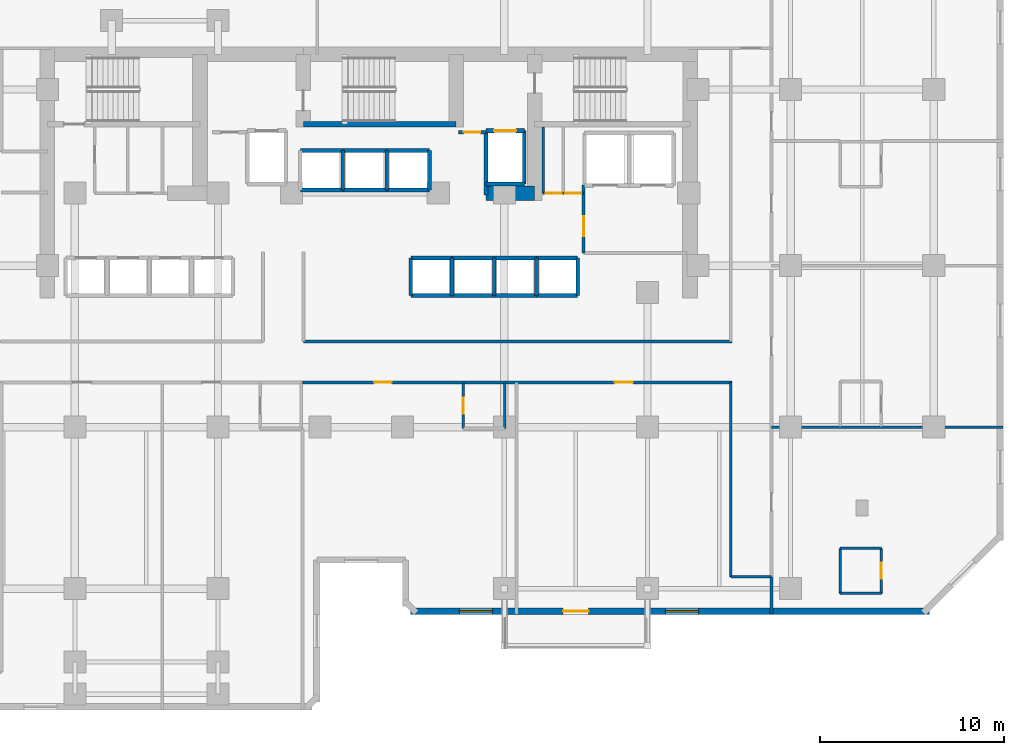
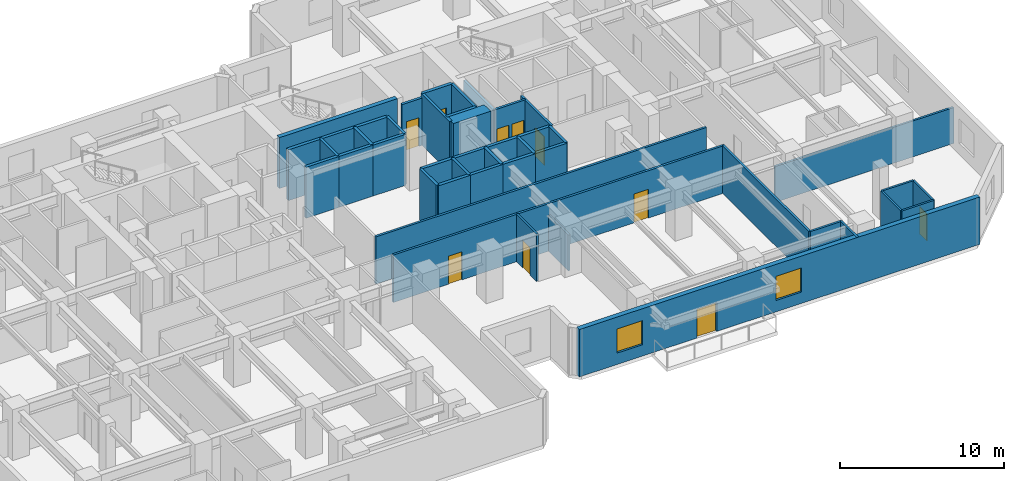
# One storey, part 7 of 11: 45 walls, 10 doors, 2 windows, 12 openings.
"""IFC4 building model written with IfcOpenShell, lengths in metres."""

from ifc_helpers import new_model, si_unit, direction, frame, frame_2d, origin, place, context, subcontext, project, spatial, rectangle, extrude, material, layer, layer_set, type_object, element, fill, save


model = new_model("IFC4")

# Units and contexts
model_context = context("Model", 3, precision=1e-05, world=origin(), true_north=direction((0.0, 1.0)))
body_context = subcontext(model_context, "Body", "Model", "MODEL_VIEW")
ifc_project = project(units=[si_unit("LENGTHUNIT", "METRE"), si_unit("AREAUNIT", "SQUARE_METRE"), si_unit("VOLUMEUNIT", "CUBIC_METRE"), si_unit("PLANEANGLEUNIT", "RADIAN"), si_unit("MASSUNIT", "GRAM", prefix="KILO")], contexts=[model_context])

# Site, building, storey
site_placement = place(None, origin())
site = spatial("IfcSite", under=ifc_project, at=site_placement, CompositionType="ELEMENT")
building_placement = place(site_placement, origin())
building = spatial("IfcBuilding", under=site, at=building_placement, Name="Kestravale Grand Hotel", CompositionType="ELEMENT")
storey_placement = place(building_placement, frame((0.0, 0.0, 107.0)))
storey = spatial("IfcBuildingStorey", under=building, at=storey_placement, Name="L26", CompositionType="ELEMENT", Elevation=107.0)

# Wall
ifc_material_1 = material(Name="Concrete f'c 60 MPa", Category="concrete")
ifc_layer_1 = layer(ifc_material_1, 0.800048828125)
ifc_layer_set_1 = layer_set([ifc_layer_1], Name="EW-CORE-800")
wall_type_1 = type_object("IfcWallType", Name="EW-CORE-800", PredefinedType="SHEAR", material=ifc_layer_set_1)
wall_1_placement = place(storey_placement, frame((45.81005859375, 32.75, 0.0), z_axis=(0.0, 0.0, 1.0), x_axis=(1.0, 0.0, 0.0)))
element("IfcWall", 1, at=wall_1_placement, inside=storey, type_object=wall_type_1, Name="L26 core shear wall S2", PredefinedType="SHEAR", context=body_context, shape_type="SweptSolid", body=[
    extrude(rectangle(XDim=2.639892578125, YDim=0.800048828125, at=frame_2d((1.31982421875, 0.0))), origin(), (0.0, 0.0, 1.0), 3.800048828125),
])

# Wall, openings, door, windows
ifc_material_2 = material(Name="Precast concrete f'c 45 MPa", Category="concrete")
ifc_layer_2 = layer(ifc_material_2, 0.340087890625)
ifc_layer_set_2 = layer_set([ifc_layer_2], Name="EW-PREC-340")
wall_type_2 = type_object("IfcWallType", Name="EW-PREC-340", PredefinedType="SOLIDWALL", material=ifc_layer_set_2)
wall_2_placement = place(storey_placement, frame((41.679931640625, 9.969970703125, 0.0), z_axis=(0.0, 0.0, 1.0), x_axis=(1.0, 0.0, 0.0)))
wall_2 = element("IfcWall", 2, at=wall_2_placement, inside=storey, type_object=wall_type_2, Name="L26 fluted precast facade wall 7", PredefinedType="SOLIDWALL", context=body_context, shape_type="SweptSolid", body=[
    extrude(rectangle(XDim=28.2900390625, YDim=0.340087890625, at=frame_2d((14.14501953125, 0.0))), origin(), (0.0, 0.0, 1.0), 3.5400390625),
])
opening_1_placement = place(wall_2_placement, frame((8.320068359375, 0.0, 0.0)))
opening_1 = element("IfcOpeningElement", 3, at=opening_1_placement, cuts=wall_2, Name="Opening D-TERR-1400", PredefinedType="OPENING", context=body_context, shape_type="SweptSolid", body=[
    extrude(rectangle(XDim=1.39990234375, YDim=2.14990234375, at=frame_2d((0.699951171875, 1.074951171875))), frame((0.0, 0.179931640625, 0.0), z_axis=(0.0, -1.0, 0.0), x_axis=(1.0, 0.0, 0.0)), (0.0, 0.0, 1.0), 0.360107421875),
])
opening_2_placement = place(wall_2_placement, frame((2.6650390625, 0.0, 0.85009765625)))
opening_2 = element("IfcOpeningElement", 4, at=opening_2_placement, cuts=wall_2, Name="Opening W-GUEST-1800", PredefinedType="OPENING", context=body_context, shape_type="SweptSolid", body=[
    extrude(rectangle(XDim=1.800048828125, YDim=1.800048828125, at=frame_2d((0.89990234375, 0.89990234375))), frame((0.0, 0.179931640625, 0.0), z_axis=(0.0, -1.0, 0.0), x_axis=(1.0, 0.0, 0.0)), (0.0, 0.0, 1.0), 0.360107421875),
])
opening_3_placement = place(wall_2_placement, frame((13.89501953125, 0.0, 0.85009765625)))
opening_3 = element("IfcOpeningElement", 5, at=opening_3_placement, cuts=wall_2, Name="Opening W-GUEST-1800", PredefinedType="OPENING", context=body_context, shape_type="SweptSolid", body=[
    extrude(rectangle(XDim=1.800048828125, YDim=1.800048828125, at=frame_2d((0.89990234375, 0.89990234375))), frame((0.0, 0.179931640625, 0.0), z_axis=(0.0, -1.0, 0.0), x_axis=(1.0, 0.0, 0.0)), (0.0, 0.0, 1.0), 0.360107421875),
])
ifc_material_3 = material(Name="Insulated glazed champagne-bronze aluminium door", Category="aluminium")
door_type_1 = type_object("IfcDoorType", Name="D-TERR-1400", OperationType="NOTDEFINED", PredefinedType="DOOR", material=ifc_material_3)
door_1_placement = place(opening_1_placement, origin())
door_1 = element("IfcDoor", 6, at=door_1_placement, inside=storey, type_object=door_type_1, Name="L26 outdoor garden terrace door", OperationType="DOUBLE_DOOR_SINGLE_SWING", OverallHeight=2.14990234375, OverallWidth=1.39990234375, PredefinedType="DOOR", context=body_context, shape_type="SweptSolid", body=[
    extrude(rectangle(XDim=1.39990234375, YDim=2.14990234375, at=frame_2d((0.699951171875, 1.074951171875))), frame((0.0, 0.02490234375, 0.0), z_axis=(0.0, -1.0, 0.0), x_axis=(1.0, 0.0, 0.0)), (0.0, 0.0, 1.0), 0.050048828125),
])
fill(opening_1, door_1)
ifc_material_4 = material(Name="Insulated low-E double glazing in aluminium frame", Category="aluminium")
window_type = type_object("IfcWindowType", Name="W-GUEST-1800", PartitioningType="DOUBLE_PANEL_VERTICAL", PredefinedType="WINDOW", material=ifc_material_4)
window_1_placement = place(opening_2_placement, origin())
window_1 = element("IfcWindow", 7, at=window_1_placement, inside=storey, type_object=window_type, Name="L26 exterior window 7.1", OverallHeight=1.800048828125, OverallWidth=1.800048828125, PartitioningType="SINGLE_PANEL", PredefinedType="WINDOW", context=body_context, shape_type="SweptSolid", body=[
    extrude(rectangle(XDim=1.800048828125, YDim=1.800048828125, at=frame_2d((0.89990234375, 0.89990234375))), frame((0.0, 0.030029296875, 0.0), z_axis=(0.0, -1.0, 0.0), x_axis=(1.0, 0.0, 0.0)), (0.0, 0.0, 1.0), 0.06005859375),
])
fill(opening_2, window_1)
window_2_placement = place(opening_3_placement, origin())
window_2 = element("IfcWindow", 8, at=window_2_placement, inside=storey, type_object=window_type, Name="L26 exterior window 7.2", OverallHeight=1.800048828125, OverallWidth=1.800048828125, PartitioningType="SINGLE_PANEL", PredefinedType="WINDOW", context=body_context, shape_type="SweptSolid", body=[
    extrude(rectangle(XDim=1.800048828125, YDim=1.800048828125, at=frame_2d((0.89990234375, 0.89990234375))), frame((0.0, 0.030029296875, 0.0), z_axis=(0.0, -1.0, 0.0), x_axis=(1.0, 0.0, 0.0)), (0.0, 0.0, 1.0), 0.06005859375),
])
fill(opening_3, window_2)

# Wall
ifc_material_5 = material(Name="Concrete f'c 45 MPa", Category="concrete")
ifc_layer_3 = layer(ifc_material_5, 0.300048828125)
ifc_layer_set_3 = layer_set([ifc_layer_3], Name="EW-STAIR-300")
wall_type_3 = type_object("IfcWallType", Name="EW-STAIR-300", PredefinedType="SHEAR", material=ifc_layer_set_3)
wall_3_placement = place(storey_placement, frame((35.85009765625, 36.52001953125, 0.0), z_axis=(0.0, 0.0, 1.0), x_axis=(1.0, 0.0, 0.0)))
element("IfcWall", 9, at=wall_3_placement, inside=storey, type_object=wall_type_3, Name="L26 stair enclosure shear wall SST2", PredefinedType="SHEAR", context=body_context, shape_type="SweptSolid", body=[
    extrude(rectangle(XDim=8.329833984375, YDim=0.300048828125, at=frame_2d((4.1650390625, 0.0))), origin(), (0.0, 0.0, 1.0), 3.800048828125),
])

# Wall, opening, door
ifc_material_6 = material(Name="Acoustic fire-rated gypsum board partition", Category="other")
ifc_layer_4 = layer(ifc_material_6, 0.159912109375)
ifc_layer_set_4 = layer_set([ifc_layer_4], Name="IW-CORR-160")
wall_type_4 = type_object("IfcWallType", Name="IW-CORR-160", PredefinedType="PARTITIONING", material=ifc_layer_set_4)
wall_4_placement = place(storey_placement, frame((51.1201171875, 29.5, 0.0), z_axis=(0.0, 0.0, 1.0), x_axis=(0.0, 1.0, 0.0)))
wall_4 = element("IfcWall", 10, at=wall_4_placement, inside=storey, type_object=wall_type_4, Name="W-L26-SVCLOB-W", PredefinedType="PARTITIONING", context=body_context, shape_type="SweptSolid", body=[
    extrude(rectangle(XDim=3.699951171875, YDim=0.159912109375, at=frame_2d((1.85009765625, 0.0))), origin(), (0.0, 0.0, 1.0), 3.5400390625),
])
opening_4_placement = place(wall_4_placement, frame((0.89990234375, 0.0, 0.0)))
opening_4 = element("IfcOpeningElement", 11, at=opening_4_placement, cuts=wall_4, Name="Opening D-CORR-1100", PredefinedType="OPENING", context=body_context, shape_type="SweptSolid", body=[
    extrude(rectangle(XDim=1.10009765625, YDim=2.14990234375, at=frame_2d((0.550048828125, 1.074951171875))), frame((0.0, 0.08984375, 0.0), z_axis=(0.0, -1.0, 0.0), x_axis=(1.0, 0.0, 0.0)), (0.0, 0.0, 1.0), 0.179931640625),
])
ifc_material_7 = material(Name="Single-leaf service vestibule fire door", Category="steel")
door_type_2 = type_object("IfcDoorType", Name="D-CORR-1100", OperationType="NOTDEFINED", PredefinedType="DOOR", material=ifc_material_7)
door_2_placement = place(opening_4_placement, origin())
door_2 = element("IfcDoor", 12, at=door_2_placement, inside=storey, type_object=door_type_2, Name="L26 service lift lobby door", OperationType="SINGLE_SWING_LEFT", OverallHeight=2.14990234375, OverallWidth=1.10009765625, PredefinedType="DOOR", context=body_context, shape_type="SweptSolid", body=[
    extrude(rectangle(XDim=1.10009765625, YDim=2.14990234375, at=frame_2d((0.550048828125, 1.074951171875))), frame((0.0, 0.02490234375, 0.0), z_axis=(0.0, -1.0, 0.0), x_axis=(1.0, 0.0, 0.0)), (0.0, 0.0, 1.0), 0.050048828125),
])
fill(opening_4, door_2)

# Wall, openings, doors
wall_5_placement = place(storey_placement, frame((48.919921875, 32.75, 0.0), z_axis=(0.0, 0.0, 1.0), x_axis=(1.0, 0.0, 0.0)))
wall_5 = element("IfcWall", 13, at=wall_5_placement, inside=storey, type_object=wall_type_4, Name="W-L26-CES", PredefinedType="PARTITIONING", context=body_context, shape_type="SweptSolid", body=[
    extrude(rectangle(XDim=2.2001953125, YDim=0.159912109375, at=frame_2d((1.10009765625, 0.0))), origin(), (0.0, 0.0, 1.0), 3.5400390625),
])
opening_5_placement = place(wall_5_placement, frame((0.139892578125, 0.0, 0.0)))
opening_5 = element("IfcOpeningElement", 14, at=opening_5_placement, cuts=wall_5, Name="Opening D-SH-860", PredefinedType="OPENING", context=body_context, shape_type="SweptSolid", body=[
    extrude(rectangle(XDim=0.860107421875, YDim=2.050048828125, at=frame_2d((0.43017578125, 1.02490234375))), frame((0.0, 0.08984375, 0.0), z_axis=(0.0, -1.0, 0.0), x_axis=(1.0, 0.0, 0.0)), (0.0, 0.0, 1.0), 0.179931640625),
])
opening_6_placement = place(wall_5_placement, frame((1.199951171875, 0.0, 0.0)))
opening_6 = element("IfcOpeningElement", 15, at=opening_6_placement, cuts=wall_5, Name="Opening D-SH-860", PredefinedType="OPENING", context=body_context, shape_type="SweptSolid", body=[
    extrude(rectangle(XDim=0.860107421875, YDim=2.050048828125, at=frame_2d((0.43017578125, 1.02490234375))), frame((0.0, 0.08984375, 0.0), z_axis=(0.0, -1.0, 0.0), x_axis=(1.0, 0.0, 0.0)), (0.0, 0.0, 1.0), 0.179931640625),
])
ifc_material_8 = material(Name="Galvanised 90-minute riser fire door", Category="steel")
door_type_3 = type_object("IfcDoorType", Name="D-SH-860", OperationType="NOTDEFINED", PredefinedType="DOOR", material=ifc_material_8)
door_3_placement = place(opening_5_placement, origin())
door_3 = element("IfcDoor", 16, at=door_3_placement, inside=storey, type_object=door_type_3, Name="L26 CSTO1 door", OperationType="SINGLE_SWING_LEFT", OverallHeight=2.050048828125, OverallWidth=0.860107421875, PredefinedType="DOOR", context=body_context, shape_type="SweptSolid", body=[
    extrude(rectangle(XDim=0.860107421875, YDim=2.050048828125, at=frame_2d((0.43017578125, 1.02490234375))), frame((0.0, 0.02490234375, 0.0), z_axis=(0.0, -1.0, 0.0), x_axis=(1.0, 0.0, 0.0)), (0.0, 0.0, 1.0), 0.050048828125),
])
fill(opening_5, door_3)
door_4_placement = place(opening_6_placement, origin())
door_4 = element("IfcDoor", 17, at=door_4_placement, inside=storey, type_object=door_type_3, Name="L26 CSTO2 door", OperationType="SINGLE_SWING_RIGHT", OverallHeight=2.050048828125, OverallWidth=0.860107421875, PredefinedType="DOOR", context=body_context, shape_type="SweptSolid", body=[
    extrude(rectangle(XDim=0.860107421875, YDim=2.050048828125, at=frame_2d((0.43017578125, 1.02490234375))), frame((0.0, 0.02490234375, 0.0), z_axis=(0.0, -1.0, 0.0), x_axis=(1.0, 0.0, 0.0)), (0.0, 0.0, 1.0), 0.050048828125),
])
fill(opening_6, door_4)

# Wall
wall_6_placement = place(storey_placement, frame((35.85009765625, 24.659912109375, 0.0), z_axis=(0.0, 0.0, 1.0), x_axis=(1.0, 0.0, 0.0)))
element("IfcWall", 18, at=wall_6_placement, inside=storey, type_object=wall_type_4, Name="W-L26-CE-N", PredefinedType="PARTITIONING", context=body_context, shape_type="SweptSolid", body=[
    extrude(rectangle(XDim=23.349853515625, YDim=0.159912109375, at=frame_2d((11.6748046875, 0.0))), origin(), (0.0, 0.0, 1.0), 3.5400390625),
])

# Wall, openings, doors
wall_7_placement = place(storey_placement, frame((35.800048828125, 22.43994140625, 0.0), z_axis=(0.0, 0.0, 1.0), x_axis=(1.0, 0.0, 0.0)))
wall_7 = element("IfcWall", 19, at=wall_7_placement, inside=storey, type_object=wall_type_4, Name="W-L26-CE-S", PredefinedType="PARTITIONING", context=body_context, shape_type="SweptSolid", body=[
    extrude(rectangle(XDim=23.39990234375, YDim=0.159912109375, at=frame_2d((11.699951171875, 0.0))), origin(), (0.0, 0.0, 1.0), 3.5400390625),
])
opening_7_placement = place(wall_7_placement, frame((3.909912109375, 0.0, 0.0)))
opening_7 = element("IfcOpeningElement", 20, at=opening_7_placement, cuts=wall_7, Name="Opening D-GUEST-950", PredefinedType="OPENING", context=body_context, shape_type="SweptSolid", body=[
    extrude(rectangle(XDim=0.949951171875, YDim=2.10009765625, at=frame_2d((0.47509765625, 1.050048828125))), frame((0.0, 0.08984375, 0.0), z_axis=(0.0, -1.0, 0.0), x_axis=(1.0, 0.0, 0.0)), (0.0, 0.0, 1.0), 0.179931640625),
])
opening_8_placement = place(wall_7_placement, frame((17.0048828125, 0.0, 0.0)))
opening_8 = element("IfcOpeningElement", 21, at=opening_8_placement, cuts=wall_7, Name="Opening D-GUEST-1000", PredefinedType="OPENING", context=body_context, shape_type="SweptSolid", body=[
    extrude(rectangle(XDim=1.0, YDim=2.14990234375, at=frame_2d((0.5, 1.074951171875))), frame((0.0, 0.08984375, 0.0), z_axis=(0.0, -1.0, 0.0), x_axis=(1.0, 0.0, 0.0)), (0.0, 0.0, 1.0), 0.179931640625),
])
ifc_material_9 = material(Name="Accessible walnut veneer hotel entrance fire door", Category="wood")
door_type_4 = type_object("IfcDoorType", Name="D-GUEST-1000", OperationType="NOTDEFINED", PredefinedType="DOOR", material=ifc_material_9)
door_5_placement = place(opening_8_placement, origin())
door_5 = element("IfcDoor", 22, at=door_5_placement, inside=storey, type_object=door_type_4, Name="D-L26-AME", OperationType="SINGLE_SWING_RIGHT", OverallHeight=2.14990234375, OverallWidth=1.0, PredefinedType="DOOR", context=body_context, shape_type="SweptSolid", body=[
    extrude(rectangle(XDim=1.0, YDim=2.14990234375, at=frame_2d((0.5, 1.074951171875))), frame((0.0, 0.02490234375, 0.0), z_axis=(0.0, -1.0, 0.0), x_axis=(1.0, 0.0, 0.0)), (0.0, 0.0, 1.0), 0.050048828125),
])
fill(opening_8, door_5)
ifc_material_10 = material(Name="Walnut veneer hotel guestroom entrance fire door", Category="wood")
door_type_5 = type_object("IfcDoorType", Name="D-GUEST-950", OperationType="NOTDEFINED", PredefinedType="DOOR", material=ifc_material_10)
door_6_placement = place(opening_7_placement, origin())
door_6 = element("IfcDoor", 23, at=door_6_placement, inside=storey, type_object=door_type_5, Name="D-L26-U02-ENT", OperationType="SINGLE_SWING_LEFT", OverallHeight=2.10009765625, OverallWidth=0.949951171875, PredefinedType="DOOR", context=body_context, shape_type="SweptSolid", body=[
    extrude(rectangle(XDim=0.949951171875, YDim=2.10009765625, at=frame_2d((0.47509765625, 1.050048828125))), frame((0.0, 0.02490234375, 0.0), z_axis=(0.0, -1.0, 0.0), x_axis=(1.0, 0.0, 0.0)), (0.0, 0.0, 1.0), 0.050048828125),
])
fill(opening_7, door_6)

# Wall
wall_8_placement = place(storey_placement, frame((59.139892578125, 11.85009765625, 0.0), z_axis=(0.0, 0.0, 1.0), x_axis=(0.0, 1.0, 0.0)))
element("IfcWall", 24, at=wall_8_placement, inside=storey, type_object=wall_type_4, Name="W-L26-SE-W", PredefinedType="PARTITIONING", context=body_context, shape_type="SweptSolid", body=[
    extrude(rectangle(XDim=10.58984375, YDim=0.159912109375, at=frame_2d((5.294921875, 0.0))), origin(), (0.0, 0.0, 1.0), 3.5400390625),
])

# Wall, opening, door
ifc_material_11 = material(Name="Fire-rated gypsum board on steel studs with mineral wool", Category="steel")
ifc_layer_5 = layer(ifc_material_11, 0.179931640625)
ifc_layer_set_5 = layer_set([ifc_layer_5], Name="IW-FSAE-180")
wall_type_5 = type_object("IfcWallType", Name="IW-FSAE-180", PredefinedType="PARTITIONING", material=ifc_layer_set_5)
wall_9_placement = place(storey_placement, frame((44.300048828125, 36.080078125, 0.0), z_axis=(0.0, 0.0, 1.0), x_axis=(1.0, 0.0, 0.0)))
wall_9 = element("IfcWall", 25, at=wall_9_placement, inside=storey, type_object=wall_type_5, Name="L26 FSAE Lobby 2 smoke barrier", PredefinedType="PARTITIONING", context=body_context, shape_type="SweptSolid", body=[
    extrude(rectangle(XDim=1.5, YDim=0.179931640625, at=frame_2d((0.75, 0.0))), origin(), (0.0, 0.0, 1.0), 3.5400390625),
])
opening_9_placement = place(wall_9_placement, frame((0.300048828125, 0.0, 0.0)))
opening_9 = element("IfcOpeningElement", 26, at=opening_9_placement, cuts=wall_9, Name="Opening D-FSAE-1000", PredefinedType="OPENING", context=body_context, shape_type="SweptSolid", body=[
    extrude(rectangle(XDim=0.89990234375, YDim=2.14990234375, at=frame_2d((0.449951171875, 1.074951171875))), frame((0.0, 0.099853515625, 0.0), z_axis=(0.0, -1.0, 0.0), x_axis=(1.0, 0.0, 0.0)), (0.0, 0.0, 1.0), 0.199951171875),
])
ifc_material_12 = material(Name="Smoke-gasketed FSAE lobby fire door", Category="steel")
door_type_6 = type_object("IfcDoorType", Name="D-FSAE-1000", OperationType="NOTDEFINED", PredefinedType="DOOR", material=ifc_material_12)
door_7_placement = place(opening_9_placement, origin())
door_7 = element("IfcDoor", 27, at=door_7_placement, inside=storey, type_object=door_type_6, Name="L26 FSAE Lobby 2 fire door", OperationType="SINGLE_SWING_LEFT", OverallHeight=2.14990234375, OverallWidth=0.89990234375, PredefinedType="DOOR", context=body_context, shape_type="SweptSolid", body=[
    extrude(rectangle(XDim=0.89990234375, YDim=2.14990234375, at=frame_2d((0.449951171875, 1.074951171875))), frame((0.0, 0.02490234375, 0.0), z_axis=(0.0, -1.0, 0.0), x_axis=(1.0, 0.0, 0.0)), (0.0, 0.0, 1.0), 0.050048828125),
])
fill(opening_9, door_7)

ifc_material_13 = material(Name="Moisture-resistant tile-backer plumbing chase wall", Category="other")
ifc_layer_6 = layer(ifc_material_13, 0.139892578125)
ifc_layer_set_6 = layer_set([ifc_layer_6], Name="IW-PLB-140")
wall_type_6 = type_object("IfcWallType", Name="IW-PLB-140", PredefinedType="PLUMBINGWALL", material=ifc_layer_set_6)
wall_10_placement = place(storey_placement, frame((44.570068359375, 19.929931640625, 0.0), z_axis=(0.0, 0.0, 1.0), x_axis=(0.0, 1.0, 0.0)))
wall_10 = element("IfcWall", 28, at=wall_10_placement, inside=storey, type_object=wall_type_6, Name="W-L26-U02-BW", PredefinedType="PLUMBINGWALL", context=body_context, shape_type="SweptSolid", body=[
    extrude(rectangle(XDim=2.489990234375, YDim=0.139892578125, at=frame_2d((1.2451171875, 0.0))), origin(), (0.0, 0.0, 1.0), 3.5400390625),
])
opening_10_placement = place(wall_10_placement, frame((0.804931640625, 0.0, 0.0)))
opening_10 = element("IfcOpeningElement", 29, at=opening_10_placement, cuts=wall_10, Name="Opening D-BATH-880", PredefinedType="OPENING", context=body_context, shape_type="SweptSolid", body=[
    extrude(rectangle(XDim=0.8798828125, YDim=2.050048828125, at=frame_2d((0.43994140625, 1.02490234375))), frame((0.0, 0.079833984375, 0.0), z_axis=(0.0, -1.0, 0.0), x_axis=(1.0, 0.0, 0.0)), (0.0, 0.0, 1.0), 0.159912109375),
])
ifc_material_14 = material(Name="Moisture-sealed walnut en-suite bathroom door", Category="wood")
door_type_7 = type_object("IfcDoorType", Name="D-BATH-880", OperationType="NOTDEFINED", PredefinedType="DOOR", material=ifc_material_14)
door_8_placement = place(opening_10_placement, origin())
door_8 = element("IfcDoor", 30, at=door_8_placement, inside=storey, type_object=door_type_7, Name="D-L26-U02-BATH", OperationType="SINGLE_SWING_RIGHT", OverallHeight=2.050048828125, OverallWidth=0.8798828125, PredefinedType="DOOR", context=body_context, shape_type="SweptSolid", body=[
    extrude(rectangle(XDim=0.8798828125, YDim=2.050048828125, at=frame_2d((0.43994140625, 1.02490234375))), frame((0.0, 0.02490234375, 0.0), z_axis=(0.0, -1.0, 0.0), x_axis=(1.0, 0.0, 0.0)), (0.0, 0.0, 1.0), 0.050048828125),
])
fill(opening_10, door_8)

# Walls
wall_11_placement = place(storey_placement, frame((46.820068359375, 19.929931640625, 0.0), z_axis=(0.0, 0.0, 1.0), x_axis=(0.0, 1.0, 0.0)))
element("IfcWall", 31, at=wall_11_placement, inside=storey, type_object=wall_type_6, Name="W-L26-U02-BE", PredefinedType="PLUMBINGWALL", context=body_context, shape_type="SweptSolid", body=[
    extrude(rectangle(XDim=2.489990234375, YDim=0.139892578125, at=frame_2d((1.2451171875, 0.0))), origin(), (0.0, 0.0, 1.0), 2.678955078125),
])
wall_12_placement = place(storey_placement, frame((65.10009765625, 10.949951171875, 0.0), z_axis=(0.0, 0.0, 1.0), x_axis=(0.0, 1.0, 0.0)))
element("IfcWall", 32, at=wall_12_placement, inside=storey, type_object=wall_type_6, Name="W-L26-U07-BW", PredefinedType="PLUMBINGWALL", context=body_context, shape_type="SweptSolid", body=[
    extrude(rectangle(XDim=2.449951171875, YDim=0.139892578125, at=frame_2d((1.22509765625, 0.0))), origin(), (0.0, 0.0, 1.0), 3.5400390625),
])

# Wall, opening, door
wall_13_placement = place(storey_placement, frame((67.35009765625, 10.949951171875, 0.0), z_axis=(0.0, 0.0, 1.0), x_axis=(0.0, 1.0, 0.0)))
wall_13 = element("IfcWall", 33, at=wall_13_placement, inside=storey, type_object=wall_type_6, Name="W-L26-U07-BE", PredefinedType="PLUMBINGWALL", context=body_context, shape_type="SweptSolid", body=[
    extrude(rectangle(XDim=2.449951171875, YDim=0.139892578125, at=frame_2d((1.22509765625, 0.0))), origin(), (0.0, 0.0, 1.0), 3.5400390625),
])
opening_11_placement = place(wall_13_placement, frame((0.784912109375, 0.0, 0.0)))
opening_11 = element("IfcOpeningElement", 34, at=opening_11_placement, cuts=wall_13, Name="Opening D-BATH-880", PredefinedType="OPENING", context=body_context, shape_type="SweptSolid", body=[
    extrude(rectangle(XDim=0.8798828125, YDim=2.050048828125, at=frame_2d((0.43994140625, 1.02490234375))), frame((0.0, 0.079833984375, 0.0), z_axis=(0.0, -1.0, 0.0), x_axis=(1.0, 0.0, 0.0)), (0.0, 0.0, 1.0), 0.159912109375),
])
door_9_placement = place(opening_11_placement, origin())
door_9 = element("IfcDoor", 35, at=door_9_placement, inside=storey, type_object=door_type_7, Name="D-L26-U07-BATH", OperationType="SINGLE_SWING_RIGHT", OverallHeight=2.050048828125, OverallWidth=0.8798828125, PredefinedType="DOOR", context=body_context, shape_type="SweptSolid", body=[
    extrude(rectangle(XDim=0.8798828125, YDim=2.050048828125, at=frame_2d((0.43994140625, 1.02490234375))), frame((0.0, 0.02490234375, 0.0), z_axis=(0.0, -1.0, 0.0), x_axis=(1.0, 0.0, 0.0)), (0.0, 0.0, 1.0), 0.050048828125),
])
fill(opening_11, door_9)

# Walls
for number, where, z_axis, x_axis, name in (
    (36, (65.10009765625, 10.949951171875, 0.0), (0.0, 0.0, 1.0), (1.0, 0.0, 0.0), "W-L26-U07-BS"),
    (37, (65.10009765625, 13.39990234375, 0.0), (0.0, 0.0, 1.0), (1.0, 0.0, 0.0), "W-L26-U07-BN"),
):
    element("IfcWall", number, at=place(storey_placement, frame(where, z_axis=z_axis, x_axis=x_axis)), inside=storey, type_object=wall_type_6, Name=name, PredefinedType="PLUMBINGWALL", context=body_context, shape_type="SweptSolid", body=[
        extrude(rectangle(XDim=2.25, YDim=0.139892578125, at=frame_2d((1.125, 0.0))), origin(), (0.0, 0.0, 1.0), 3.5400390625),
    ])
ifc_material_15 = material(Name="Concrete f'c 45 MPa", Category="concrete")
ifc_layer_7 = layer(ifc_material_15, 0.199951171875)
ifc_layer_set_7 = layer_set([ifc_layer_7], Name="IW-SHAFT-200")
wall_type_7 = type_object("IfcWallType", Name="IW-SHAFT-200", PredefinedType="SHEAR", material=ifc_layer_set_7)
for number, where, z_axis, x_axis, name in (
    (38, (41.705078125, 27.169921875, 0.0), (0.0, 0.0, 1.0), (0.0, 1.0, 0.0), "L26 PL-M1 west shaft wall"),
    (39, (43.949951171875, 27.169921875, 0.0), (0.0, 0.0, 1.0), (0.0, 1.0, 0.0), "L26 PL-M2 west shaft wall"),
    (40, (46.25, 27.169921875, 0.0), (0.0, 0.0, 1.0), (0.0, 1.0, 0.0), "L26 PL-M3 west shaft wall"),
    (41, (48.550048828125, 27.169921875, 0.0), (0.0, 0.0, 1.0), (0.0, 1.0, 0.0), "L26 PL-M4 west shaft wall"),
    (42, (50.794921875, 27.169921875, 0.0), (0.0, 0.0, 1.0), (0.0, 1.0, 0.0), "L26 PL-M4 east shaft wall"),
):
    element("IfcWall", number, at=place(storey_placement, frame(where, z_axis=z_axis, x_axis=x_axis)), inside=storey, type_object=wall_type_7, Name=name, PredefinedType="SHEAR", context=body_context, shape_type="SweptSolid", body=[
        extrude(rectangle(XDim=2.06005859375, YDim=0.199951171875, at=frame_2d((1.030029296875, 0.0))), origin(), (0.0, 0.0, 1.0), 3.800048828125),
    ])
for number, where, z_axis, x_axis, name in (
    (43, (38.0, 32.919921875, 0.0), (0.0, 0.0, 1.0), (0.0, 1.0, 0.0), "L26 PL-X2 west shaft wall"),
    (44, (40.39990234375, 32.919921875, 0.0), (0.0, 0.0, 1.0), (0.0, 1.0, 0.0), "L26 PL-X3 west shaft wall"),
    (45, (42.719970703125, 32.919921875, 0.0), (0.0, 0.0, 1.0), (0.0, 1.0, 0.0), "L26 PL-X3 east shaft wall"),
):
    element("IfcWall", number, at=place(storey_placement, frame(where, z_axis=z_axis, x_axis=x_axis)), inside=storey, type_object=wall_type_7, Name=name, PredefinedType="SHEAR", context=body_context, shape_type="SweptSolid", body=[
        extrude(rectangle(XDim=2.16015625, YDim=0.199951171875, at=frame_2d((1.080078125, 0.0))), origin(), (0.0, 0.0, 1.0), 3.800048828125),
    ])
wall_14_placement = place(storey_placement, frame((45.804931640625, 32.64990234375, 0.0), z_axis=(0.0, 0.0, 1.0), x_axis=(0.0, 1.0, 0.0)))
element("IfcWall", 46, at=wall_14_placement, inside=storey, type_object=wall_type_7, Name="L26 FL-2 west shaft wall", PredefinedType="SHEAR", context=body_context, shape_type="SweptSolid", body=[
    extrude(rectangle(XDim=3.505126953125, YDim=0.199951171875, at=frame_2d((1.75244140625, 0.0))), origin(), (0.0, 0.0, 1.0), 3.800048828125),
])
wall_15_placement = place(storey_placement, frame((47.89501953125, 33.2451171875, 0.0), z_axis=(0.0, 0.0, 1.0), x_axis=(0.0, 1.0, 0.0)))
element("IfcWall", 47, at=wall_15_placement, inside=storey, type_object=wall_type_7, Name="L26 FL-2 east shaft wall", PredefinedType="SHEAR", context=body_context, shape_type="SweptSolid", body=[
    extrude(rectangle(XDim=2.909912109375, YDim=0.199951171875, at=frame_2d((1.455078125, 0.0))), origin(), (0.0, 0.0, 1.0), 3.800048828125),
])
ifc_material_16 = material(Name="Concrete f'c 45 MPa", Category="concrete")
ifc_layer_8 = layer(ifc_material_16, 0.219970703125)
ifc_layer_set_8 = layer_set([ifc_layer_8], Name="IW-SHAFT-220")
wall_type_8 = type_object("IfcWallType", Name="IW-SHAFT-220", PredefinedType="SHEAR", material=ifc_layer_set_8)
for number, where, z_axis, x_axis, name in (
    (48, (41.705078125, 29.22998046875, 0.0), (0.0, 0.0, 1.0), (1.0, 0.0, 0.0), "L26 PL-M1 north shaft wall"),
    (49, (41.705078125, 27.169921875, 0.0), (0.0, 0.0, 1.0), (1.0, 0.0, 0.0), "L26 PL-M1 south shaft wall"),
):
    element("IfcWall", number, at=place(storey_placement, frame(where, z_axis=z_axis, x_axis=x_axis)), inside=storey, type_object=wall_type_8, Name=name, PredefinedType="SHEAR", context=body_context, shape_type="SweptSolid", body=[
        extrude(rectangle(XDim=2.244873046875, YDim=0.219970703125, at=frame_2d((1.12255859375, 0.0))), origin(), (0.0, 0.0, 1.0), 3.800048828125),
    ])
for number, where, z_axis, x_axis, name in (
    (50, (43.949951171875, 29.22998046875, 0.0), (0.0, 0.0, 1.0), (1.0, 0.0, 0.0), "L26 PL-M2 north shaft wall"),
    (51, (43.949951171875, 27.169921875, 0.0), (0.0, 0.0, 1.0), (1.0, 0.0, 0.0), "L26 PL-M2 south shaft wall"),
    (52, (46.25, 29.22998046875, 0.0), (0.0, 0.0, 1.0), (1.0, 0.0, 0.0), "L26 PL-M3 north shaft wall"),
    (53, (46.25, 27.169921875, 0.0), (0.0, 0.0, 1.0), (1.0, 0.0, 0.0), "L26 PL-M3 south shaft wall"),
):
    element("IfcWall", number, at=place(storey_placement, frame(where, z_axis=z_axis, x_axis=x_axis)), inside=storey, type_object=wall_type_8, Name=name, PredefinedType="SHEAR", context=body_context, shape_type="SweptSolid", body=[
        extrude(rectangle(XDim=2.300048828125, YDim=0.219970703125, at=frame_2d((1.14990234375, 0.0))), origin(), (0.0, 0.0, 1.0), 3.800048828125),
    ])
for number, where, z_axis, x_axis, name in (
    (54, (48.550048828125, 29.22998046875, 0.0), (0.0, 0.0, 1.0), (1.0, 0.0, 0.0), "L26 PL-M4 north shaft wall"),
    (55, (48.550048828125, 27.169921875, 0.0), (0.0, 0.0, 1.0), (1.0, 0.0, 0.0), "L26 PL-M4 south shaft wall"),
):
    element("IfcWall", number, at=place(storey_placement, frame(where, z_axis=z_axis, x_axis=x_axis)), inside=storey, type_object=wall_type_8, Name=name, PredefinedType="SHEAR", context=body_context, shape_type="SweptSolid", body=[
        extrude(rectangle(XDim=2.244873046875, YDim=0.219970703125, at=frame_2d((1.12255859375, 0.0))), origin(), (0.0, 0.0, 1.0), 3.800048828125),
    ])
for number, where, z_axis, x_axis, name in (
    (56, (35.679931640625, 35.080078125, 0.0), (0.0, 0.0, 1.0), (1.0, 0.0, 0.0), "L26 PL-X1 north shaft wall"),
    (57, (35.679931640625, 32.919921875, 0.0), (0.0, 0.0, 1.0), (1.0, 0.0, 0.0), "L26 PL-X1 south shaft wall"),
):
    element("IfcWall", number, at=place(storey_placement, frame(where, z_axis=z_axis, x_axis=x_axis)), inside=storey, type_object=wall_type_8, Name=name, PredefinedType="SHEAR", context=body_context, shape_type="SweptSolid", body=[
        extrude(rectangle(XDim=2.320068359375, YDim=0.219970703125, at=frame_2d((1.16015625, 0.0))), origin(), (0.0, 0.0, 1.0), 3.800048828125),
    ])
for number, where, z_axis, x_axis, name in (
    (58, (38.0, 35.080078125, 0.0), (0.0, 0.0, 1.0), (1.0, 0.0, 0.0), "L26 PL-X2 north shaft wall"),
    (59, (38.0, 32.919921875, 0.0), (0.0, 0.0, 1.0), (1.0, 0.0, 0.0), "L26 PL-X2 south shaft wall"),
):
    element("IfcWall", number, at=place(storey_placement, frame(where, z_axis=z_axis, x_axis=x_axis)), inside=storey, type_object=wall_type_8, Name=name, PredefinedType="SHEAR", context=body_context, shape_type="SweptSolid", body=[
        extrude(rectangle(XDim=2.39990234375, YDim=0.219970703125, at=frame_2d((1.199951171875, 0.0))), origin(), (0.0, 0.0, 1.0), 3.800048828125),
    ])
for number, where, z_axis, x_axis, name in (
    (60, (40.39990234375, 35.080078125, 0.0), (0.0, 0.0, 1.0), (1.0, 0.0, 0.0), "L26 PL-X3 north shaft wall"),
    (61, (40.39990234375, 32.919921875, 0.0), (0.0, 0.0, 1.0), (1.0, 0.0, 0.0), "L26 PL-X3 south shaft wall"),
):
    element("IfcWall", number, at=place(storey_placement, frame(where, z_axis=z_axis, x_axis=x_axis)), inside=storey, type_object=wall_type_8, Name=name, PredefinedType="SHEAR", context=body_context, shape_type="SweptSolid", body=[
        extrude(rectangle(XDim=2.320068359375, YDim=0.219970703125, at=frame_2d((1.16015625, 0.0))), origin(), (0.0, 0.0, 1.0), 3.800048828125),
    ])

# Wall, opening, door
wall_16_placement = place(storey_placement, frame((45.804931640625, 36.155029296875, 0.0), z_axis=(0.0, 0.0, 1.0), x_axis=(1.0, 0.0, 0.0)))
wall_16 = element("IfcWall", 62, at=wall_16_placement, inside=storey, type_object=wall_type_8, Name="L26 FL-2 north shaft wall", PredefinedType="SHEAR", context=body_context, shape_type="SweptSolid", body=[
    extrude(rectangle(XDim=2.090087890625, YDim=0.219970703125, at=frame_2d((1.044921875, 0.0))), origin(), (0.0, 0.0, 1.0), 3.800048828125),
])
opening_12_placement = place(wall_16_placement, frame((0.445068359375, 0.0, 0.0)))
opening_12 = element("IfcOpeningElement", 63, at=opening_12_placement, cuts=wall_16, Name="Opening LD-FSAE-1200", PredefinedType="OPENING", context=body_context, shape_type="SweptSolid", body=[
    extrude(rectangle(XDim=1.199951171875, YDim=2.14990234375, at=frame_2d((0.60009765625, 1.074951171875))), frame((0.0, 0.119873046875, 0.0), z_axis=(0.0, -1.0, 0.0), x_axis=(1.0, 0.0, 0.0)), (0.0, 0.0, 1.0), 0.239990234375),
])
ifc_material_17 = material(Name="Stainless fire-service sliding elevator landing door", Category="steel")
door_type_8 = type_object("IfcDoorType", Name="LD-FSAE-1200", OperationType="NOTDEFINED", PredefinedType="DOOR", material=ifc_material_17)
door_10_placement = place(opening_12_placement, origin())
door_10 = element("IfcDoor", 64, at=door_10_placement, inside=storey, type_object=door_type_8, Name="L26 FL-2 elevator landing sliding door", OperationType="DOUBLE_DOOR_SLIDING", OverallHeight=2.14990234375, OverallWidth=1.199951171875, PredefinedType="DOOR", context=body_context, shape_type="SweptSolid", body=[
    extrude(rectangle(XDim=1.199951171875, YDim=2.14990234375, at=frame_2d((0.60009765625, 1.074951171875))), frame((0.0, 0.02490234375, 0.0), z_axis=(0.0, -1.0, 0.0), x_axis=(1.0, 0.0, 0.0)), (0.0, 0.0, 1.0), 0.050048828125),
])
fill(opening_12, door_10)

# Walls
wall_17_placement = place(storey_placement, frame((45.804931640625, 33.2451171875, 0.0), z_axis=(0.0, 0.0, 1.0), x_axis=(1.0, 0.0, 0.0)))
element("IfcWall", 65, at=wall_17_placement, inside=storey, type_object=wall_type_8, Name="L26 FL-2 south shaft wall", PredefinedType="SHEAR", context=body_context, shape_type="SweptSolid", body=[
    extrude(rectangle(XDim=2.090087890625, YDim=0.219970703125, at=frame_2d((1.044921875, 0.0))), origin(), (0.0, 0.0, 1.0), 3.800048828125),
])
ifc_material_18 = material(Name="Double-stud STC 52 acoustic demising partition", Category="other")
ifc_layer_9 = layer(ifc_material_18, 0.14990234375)
ifc_layer_set_9 = layer_set([ifc_layer_9], Name="IW-UNIT-150")
wall_type_9 = type_object("IfcWallType", Name="IW-UNIT-150", PredefinedType="PARTITIONING", material=ifc_layer_set_9)
wall_18_placement = place(storey_placement, frame((48.919921875, 32.75, 0.0), z_axis=(0.0, 0.0, 1.0), x_axis=(0.0, 1.0, 0.0)))
element("IfcWall", 66, at=wall_18_placement, inside=storey, type_object=wall_type_9, Name="W-L26-CEW", PredefinedType="PARTITIONING", context=body_context, shape_type="SweptSolid", body=[
    extrude(rectangle(XDim=3.6201171875, YDim=0.14990234375, at=frame_2d((1.81005859375, 0.0))), origin(), (0.0, 0.0, 1.0), 3.5400390625),
])
wall_19_placement = place(storey_placement, frame((59.139892578125, 11.85009765625, 0.0), z_axis=(0.0, 0.0, 1.0), x_axis=(1.0, 0.0, 0.0)))
element("IfcWall", 67, at=wall_19_placement, inside=storey, type_object=wall_type_9, Name="W-L26-SE-S", PredefinedType="PARTITIONING", context=body_context, shape_type="SweptSolid", body=[
    extrude(rectangle(XDim=2.22021484375, YDim=0.14990234375, at=frame_2d((1.110107421875, 0.0))), origin(), (0.0, 0.0, 1.0), 3.5400390625),
])
wall_20_placement = place(storey_placement, frame((61.360107421875, 9.820068359375, 0.0), z_axis=(0.0, 0.0, 1.0), x_axis=(0.0, 1.0, 0.0)))
element("IfcWall", 68, at=wall_20_placement, inside=storey, type_object=wall_type_9, Name="W-L26-SE-EXT", PredefinedType="PARTITIONING", context=body_context, shape_type="SweptSolid", body=[
    extrude(rectangle(XDim=2.030029296875, YDim=0.14990234375, at=frame_2d((1.01513671875, 0.0))), origin(), (0.0, 0.0, 1.0), 3.5400390625),
])
wall_21_placement = place(storey_placement, frame((61.360107421875, 20.0, 0.0), z_axis=(0.0, 0.0, 1.0), x_axis=(1.0, 0.0, 0.0)))
element("IfcWall", 69, at=wall_21_placement, inside=storey, type_object=wall_type_9, Name="W-L26-EW-1", PredefinedType="PARTITIONING", context=body_context, shape_type="SweptSolid", body=[
    extrude(rectangle(XDim=12.619873046875, YDim=0.14990234375, at=frame_2d((6.31005859375, 0.0))), origin(), (0.0, 0.0, 1.0), 2.678955078125),
])

save(model, "model.ifc")
